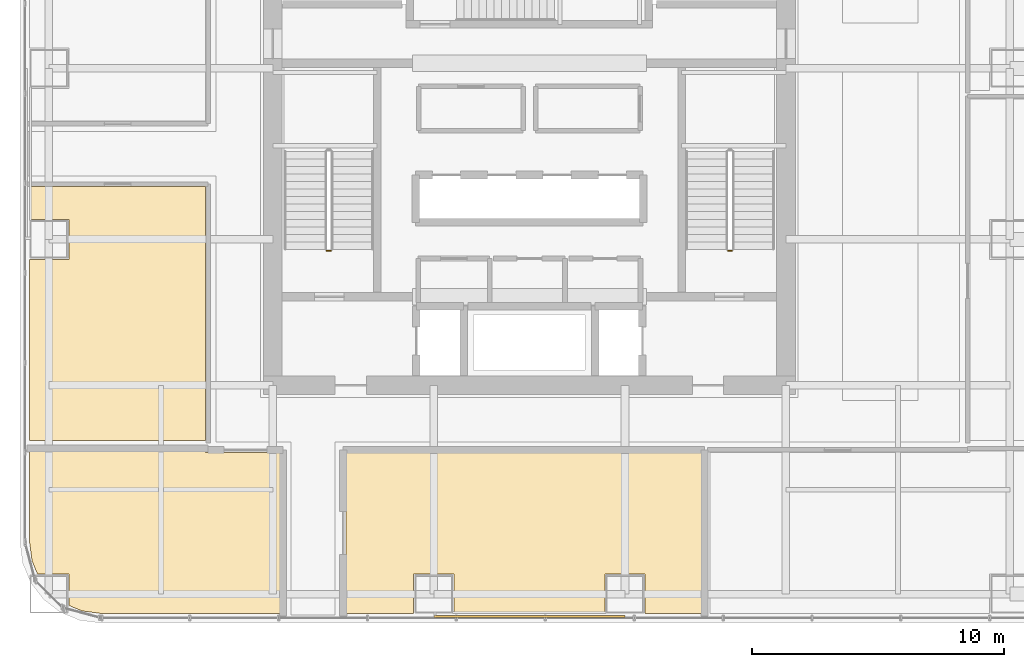
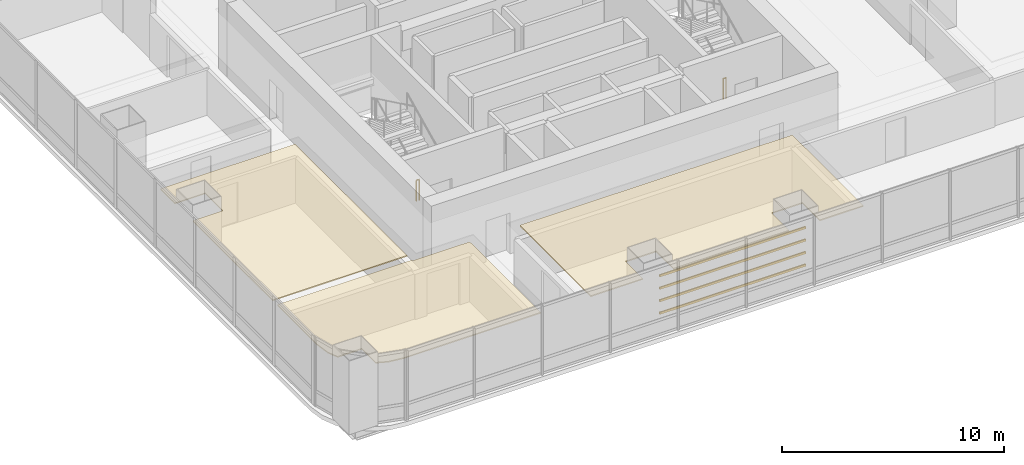
# One storey, part 30 of 34: 4 shading devices, 3 coverings, 2 railings.
"""IFC4 building model written with IfcOpenShell, lengths in metres."""

from ifc_helpers import new_model, si_unit, direction, frame, origin, origin_2d, place, context, subcontext, project, spatial, polyline, hollow_rectangle, circle, outline, extrude, material, layer, layer_set, material_profile, profile_set, type_object, element, save


model = new_model("IFC4")

# Units and contexts
model_context = context("Model", 3, precision=1e-05, world=origin(), true_north=direction((0.0, 1.0)))
body_context = subcontext(model_context, "Body", "Model", "MODEL_VIEW")
ifc_project = project(units=[si_unit("LENGTHUNIT", "METRE"), si_unit("AREAUNIT", "SQUARE_METRE"), si_unit("VOLUMEUNIT", "CUBIC_METRE"), si_unit("PLANEANGLEUNIT", "RADIAN"), si_unit("MASSUNIT", "GRAM", prefix="KILO")], contexts=[model_context])

# Site, building, storey
site_placement = place(None, origin())
site = spatial("IfcSite", under=ifc_project, at=site_placement, CompositionType="ELEMENT")
building_placement = place(site_placement, origin())
building = spatial("IfcBuilding", under=site, at=building_placement, Name="Punatoya Terracotta Tower", CompositionType="ELEMENT")
storey_placement = place(building_placement, frame((0.0, 0.0, 105.14990234375)))
storey = spatial("IfcBuildingStorey", under=building, at=storey_placement, Name="L24", CompositionType="ELEMENT", Elevation=105.14990234375)

# Coverings
ifc_material_1 = material(Name="Acoustic Mineral Fibre Ceiling")
ifc_layer = layer(ifc_material_1, 0.06005859375)
ifc_layer_set = layer_set([ifc_layer], Name="Acoustic Mineral Fibre Ceiling")
covering_type = type_object("IfcCoveringType", Name="COV-CEIL-60", PredefinedType="CEILING", material=ifc_layer_set)
covering_1_placement = place(storey_placement, frame((0.0, 0.0, 3.2001953125)))
element("IfcCovering", 1, at=covering_1_placement, inside=storey, type_object=covering_type, Name="L24 Open-Plan Client Dining Salon Acoustic Ceiling", PredefinedType="CEILING", context=body_context, shape_type="SweptSolid", body=[
    extrude(outline(polyline([(-3.0, -18.27001953125), (3.0, -18.27001953125), (3.0, -16.699951171875), (4.60009765625, -16.699951171875), (4.60009765625, -18.27001953125), (6.8701171875, -18.27001953125), (6.8701171875, -11.8701171875), (-7.300048828125, -11.8701171875), (-7.300048828125, -18.27001953125), (-4.60009765625, -18.27001953125), (-4.60009765625, -16.699951171875), (-3.0, -16.699951171875), (-3.0, -18.27001953125)])), origin(), (0.0, 0.0, 1.0), 0.059814453125),
])
covering_2_placement = place(storey_placement, frame((0.0, 0.0, 3.2001953125)))
element("IfcCovering", 2, at=covering_2_placement, inside=storey, type_object=covering_type, Name="L24 Open-Plan Executive Bistro Lounge Acoustic Ceiling", PredefinedType="CEILING", context=body_context, shape_type="SweptSolid", body=[
    extrude(outline(polyline([(-17.025146484375, -18.27001953125), (-9.89990234375, -18.27001953125), (-9.89990234375, -11.8701171875), (-12.8701171875, -11.8701171875), (-12.8701171875, -11.81005859375), (-19.8701171875, -11.81005859375), (-19.8701171875, -15.425048828125), (-19.770751953125, -16.178955078125), (-19.554931640625, -16.699951171875), (-18.300048828125, -16.699951171875), (-18.300048828125, -17.955078125), (-17.779052734375, -18.1708984375), (-17.025146484375, -18.27001953125)])), origin(), (0.0, 0.0, 1.0), 0.059814453125),
])
covering_3_placement = place(storey_placement, frame((0.0, 0.0, 3.2001953125)))
element("IfcCovering", 3, at=covering_3_placement, inside=storey, type_object=covering_type, Name="L24 Open-Plan Visitor Reception Salon Acoustic Ceiling", PredefinedType="CEILING", context=body_context, shape_type="SweptSolid", body=[
    extrude(outline(polyline([(-12.8701171875, -11.389892578125), (-12.8701171875, -1.300048828125), (-19.8701171875, -1.300048828125), (-19.8701171875, -2.60009765625), (-18.300048828125, -2.60009765625), (-18.300048828125, -4.199951171875), (-19.8701171875, -4.199951171875), (-19.8701171875, -11.389892578125), (-12.8701171875, -11.389892578125)])), origin(), (0.0, 0.0, 1.0), 0.059814453125),
])

# Railings
ifc_material_2 = material(Name="Steel S355", Category="steel")
railing_type = type_object("IfcRailingType", Name="RLG-GRD-1150", PredefinedType="GUARDRAIL", material=ifc_material_2)
for number, where, name in (
    (4, (-7.89990234375, -3.85009765625, 0.0), "L24 ST-1 stair guard 4"),
    (5, (8.050048828125, -3.85009765625, 0.0), "L24 ST-2 stair guard 4"),
):
    element("IfcRailing", number, at=place(storey_placement, frame(where)), inside=storey, type_object=railing_type, Name=name, PredefinedType="GUARDRAIL", context=body_context, shape_type="SweptSolid", body=[
        extrude(circle(Radius=0.02392578125, at=origin_2d()), frame((0.0, 0.0, 1.1259765625), z_axis=(-1.0, 0.0, 0.0), x_axis=(0.0, -1.0, 0.0)), (0.0, 0.0, 1.0), 0.150146484375),
        extrude(circle(Radius=0.02099609375, at=origin_2d()), origin(), (0.0, 0.0, 1.0), 1.101806640625),
        extrude(circle(Radius=0.02099609375, at=origin_2d()), frame((-0.150146484375, 0.0, 0.0)), (0.0, 0.0, 1.0), 1.101806640625),
    ])

# Shading devices
ifc_material_3 = material(Name="Architectural Fired Terracotta", Category="masonry")
ifc_material_profile = material_profile(ifc_material_3, hollow_rectangle(XDim=0.06494140625, YDim=0.1201171875, WallThickness=0.014892578125, at=origin_2d()))
ifc_profile_set = profile_set([ifc_material_profile], Name="Architectural Fired Terracotta")
shading_device_type = type_object("IfcShadingDeviceType", Name="SHD-BAG-120", PredefinedType="USERDEFINED", material=ifc_profile_set)
for number, where, z_axis, x_axis, name in (
    (6, (-3.800048828125, -18.389892578125, 1.150146484375), (1.0, 0.0, 0.0), (0.0, 1.0, 0.0), "L24 Fired Terracotta Baguette Louvre BAG-L24-S-01"),
    (7, (-3.800048828125, -18.389892578125, 1.8369140625), (1.0, 0.0, 0.0), (0.0, 1.0, 0.0), "L24 Fired Terracotta Baguette Louvre BAG-L24-S-02"),
    (8, (-3.800048828125, -18.389892578125, 2.5234375), (1.0, 0.0, 0.0), (0.0, 1.0, 0.0), "L24 Fired Terracotta Baguette Louvre BAG-L24-S-03"),
    (9, (-3.800048828125, -18.389892578125, 3.210205078125), (1.0, 0.0, 0.0), (0.0, 1.0, 0.0), "L24 Fired Terracotta Baguette Louvre BAG-L24-S-04"),
):
    element("IfcShadingDevice", number, at=place(storey_placement, frame(where, z_axis=z_axis, x_axis=x_axis)), inside=storey, type_object=shading_device_type, Name=name, ObjectType="BAGUETTE", PredefinedType="USERDEFINED", context=body_context, shape_type="SweptSolid", body=[
        extrude(hollow_rectangle(XDim=0.06494140625, YDim=0.1201171875, WallThickness=0.014892578125, at=origin_2d()), origin(), (0.0, 0.0, 1.0), 7.60009765625),
    ])

save(model, "model.ifc")
